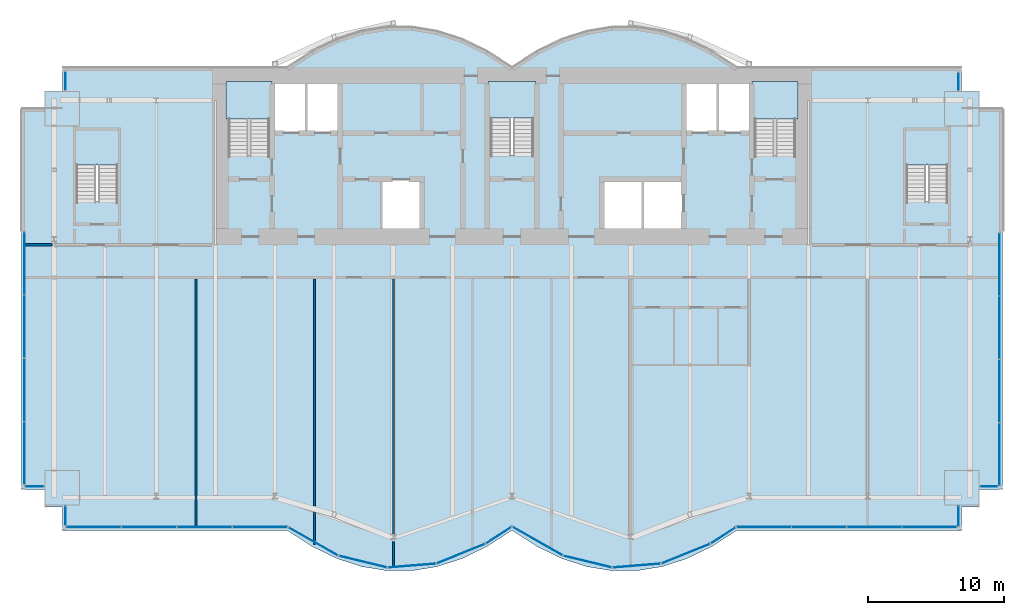
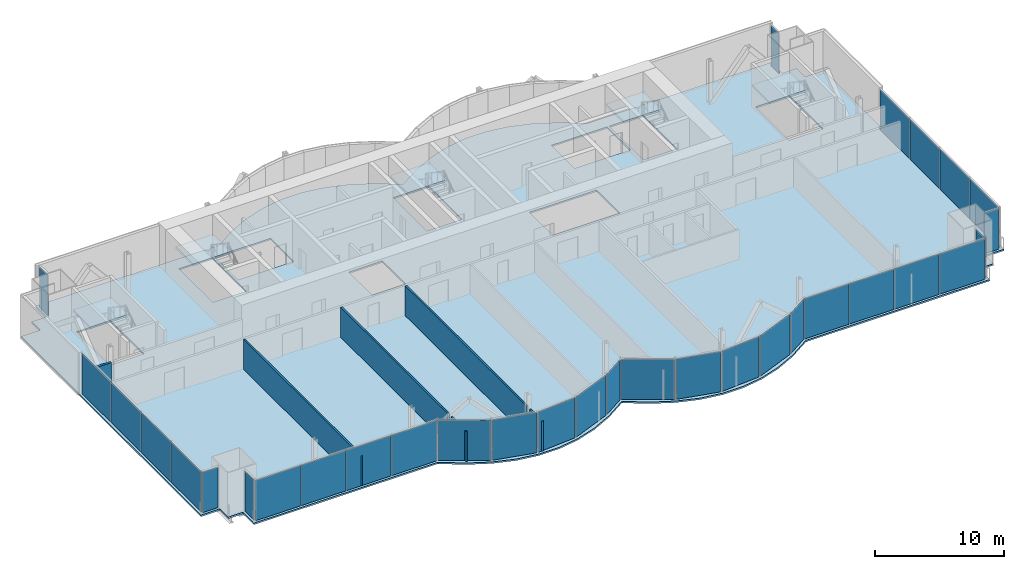
# One storey, part 13 of 20: 32 plates, 6 slabs, 6 walls, 17 elements without a shape of their own.
"""IFC4 building model written with IfcOpenShell, lengths in metres."""

from ifc_helpers import new_model, si_unit, direction, frame, frame_2d, origin, origin_2d, place, context, subcontext, project, spatial, polyline, rectangle, outline, extrude, material, layer, layer_set, type_object, element, aggregate, save


model = new_model("IFC4")

# Units and contexts
model_context = context("Model", 3, precision=1e-05, world=origin(), true_north=direction((0.0, 1.0)))
body_context = subcontext(model_context, "Body", "Model", "MODEL_VIEW")
ifc_project = project(units=[si_unit("LENGTHUNIT", "METRE"), si_unit("AREAUNIT", "SQUARE_METRE"), si_unit("VOLUMEUNIT", "CUBIC_METRE"), si_unit("PLANEANGLEUNIT", "RADIAN"), si_unit("MASSUNIT", "GRAM", prefix="KILO")], contexts=[model_context])

# Site, building, storey
site_placement = place(None, origin())
site = spatial("IfcSite", under=ifc_project, at=site_placement, CompositionType="ELEMENT")
building_placement = place(site_placement, origin())
building = spatial("IfcBuilding", under=site, at=building_placement, Name="Bicima Exchange Tower", CompositionType="ELEMENT")
storey_placement = place(building_placement, frame((0.0, 0.0, 177.300048828125)))
storey = spatial("IfcBuildingStorey", under=building, at=storey_placement, Name="L39", CompositionType="ELEMENT", Elevation=177.300048828125)

# Slab
ifc_material_1 = material(Name="Concrete C40/50", Category="concrete")
ifc_layer_1 = layer(ifc_material_1, 0.14990234375)
ifc_layer_set_1 = layer_set([ifc_layer_1], Name="Concrete C40/50")
slab_type_1 = type_object("IfcSlabType", Name="Composite floor slab 150", PredefinedType="FLOOR", material=ifc_layer_set_1)
slab_1_placement = place(storey_placement, frame((0.0, 0.0, -0.150146484375)))
element("IfcSlab", 1, at=slab_1_placement, inside=storey, type_object=slab_type_1, Name="Floor slab", PredefinedType="FLOOR", context=body_context, shape_type="SweptSolid", body=[
    extrude(outline(polyline([(-36.0, -30.947998046875), (-36.0, -3.0), (-34.300048828125, -3.0), (-34.300048828125, -1.699951171875), (-33.0, -1.699951171875), (-33.0, 0.0), (-16.5, 0.0), (-14.666748046875, 1.185302734375), (-12.833251953125, 2.07421875), (-11.0, 2.666748046875), (-9.166748046875, 2.962890625), (-7.333251953125, 2.962890625), (-5.5, 2.666748046875), (-3.666748046875, 2.07421875), (-1.833251953125, 1.185302734375), (0.0, 0.0), (1.833251953125, 1.185302734375), (3.666748046875, 2.07421875), (5.5, 2.666748046875), (7.333251953125, 2.962890625), (9.166748046875, 2.962890625), (11.0, 2.666748046875), (12.833251953125, 2.07421875), (14.666748046875, 1.185302734375), (16.5, 0.0), (33.0, 0.0), (33.0, -1.699951171875), (34.300048828125, -1.699951171875), (34.300048828125, -3.0), (36.0, -3.0), (36.0, -30.947998046875), (34.300048828125, -30.947998046875), (34.300048828125, -32.248046875), (33.0, -32.248046875), (33.0, -33.947998046875), (16.5, -33.947998046875), (14.666748046875, -35.13330078125), (12.833251953125, -36.022216796875), (11.0, -36.61474609375), (9.166748046875, -36.910888671875), (7.333251953125, -36.910888671875), (5.5, -36.61474609375), (3.666748046875, -36.022216796875), (1.833251953125, -35.13330078125), (0.0, -33.947998046875), (-1.833251953125, -35.13330078125), (-3.666748046875, -36.022216796875), (-5.5, -36.61474609375), (-7.333251953125, -36.910888671875), (-9.166748046875, -36.910888671875), (-11.0, -36.61474609375), (-12.833251953125, -36.022216796875), (-14.666748046875, -35.13330078125), (-16.5, -33.947998046875), (-33.0, -33.947998046875), (-33.0, -32.248046875), (-34.300048828125, -32.248046875), (-34.300048828125, -30.947998046875), (-36.0, -30.947998046875)]), holes=[polyline([(-6.60009765625, -11.800048828125), (-6.60009765625, -8.199951171875), (-9.60009765625, -8.199951171875), (-9.60009765625, -11.800048828125), (-6.60009765625, -11.800048828125)]), polyline([(-31.97509765625, -9.824951171875), (-28.925048828125, -9.824951171875), (-28.925048828125, -4.625), (-31.97509765625, -4.625), (-31.97509765625, -9.824951171875)]), polyline([(-20.800048828125, -6.449951171875), (-17.800048828125, -6.449951171875), (-17.800048828125, -1.199951171875), (-20.800048828125, -1.199951171875), (-20.800048828125, -6.449951171875)]), polyline([(1.574951171875, -6.39990234375), (1.574951171875, -1.199951171875), (-1.574951171875, -1.199951171875), (-1.574951171875, -6.39990234375), (1.574951171875, -6.39990234375)]), polyline([(-12.60009765625, -4.800048828125), (-12.60009765625, -1.199951171875), (-15.10009765625, -1.199951171875), (-17.60009765625, -1.199951171875), (-17.60009765625, -4.800048828125), (-15.10009765625, -4.800048828125), (-12.60009765625, -4.800048828125)]), polyline([(12.60009765625, -8.199951171875), (9.60009765625, -8.199951171875), (6.60009765625, -8.199951171875), (6.60009765625, -11.800048828125), (9.60009765625, -11.800048828125), (12.60009765625, -11.800048828125), (12.60009765625, -8.199951171875)]), polyline([(28.925048828125, -9.824951171875), (31.97509765625, -9.824951171875), (31.97509765625, -4.625), (28.925048828125, -4.625), (28.925048828125, -9.824951171875)]), polyline([(20.800048828125, -6.449951171875), (20.800048828125, -1.199951171875), (17.800048828125, -1.199951171875), (17.800048828125, -6.449951171875), (20.800048828125, -6.449951171875)]), polyline([(17.60009765625, -4.800048828125), (17.60009765625, -1.199951171875), (15.10009765625, -1.199951171875), (12.60009765625, -1.199951171875), (12.60009765625, -4.800048828125), (15.10009765625, -4.800048828125), (17.60009765625, -4.800048828125)])]), origin(), (0.0, 0.0, 1.0), 0.150146484375),
])

# Curtain wall, plates
ifc_material_2 = material(Name="Anodised bronze aluminium", Category="aluminium")
curtain_wall_type_1 = type_object("IfcCurtainWallType", Name="End face glass wall", PredefinedType="NOTDEFINED", material=ifc_material_2)
curtain_wall_1_placement = place(storey_placement, origin())
curtain_wall_1 = element("IfcCurtainWall", 2, at=curtain_wall_1_placement, inside=storey, type_object=curtain_wall_type_1, Name="End face glass wall L39 run 2", PredefinedType="NOTDEFINED")
ifc_material_3 = material(Name="Bronze tinted glass", Category="glass")
ifc_layer_2 = layer(ifc_material_3, 0.031982421875)
ifc_layer_set_2 = layer_set([ifc_layer_2], Name="Bronze tinted glass")
plate_type_1 = type_object("IfcPlateType", Name="End face glass wall glass panel 32", PredefinedType="CURTAIN_PANEL", material=ifc_layer_set_2)
plate_1_placement = place(storey_placement, frame((-35.77001953125, -14.352294921875, 0.0), z_axis=(0.0, 0.0, 1.0), x_axis=(0.0, -1.0, 0.0)))
plate_1 = element("IfcPlate", 3, at=plate_1_placement, type_object=plate_type_1, Name="End face glass wall panel 1.1", PredefinedType="CURTAIN_PANEL", context=body_context, shape_type="SweptSolid", body=[
    extrude(rectangle(XDim=4.58447265625, YDim=0.031982421875, at=origin_2d()), origin(), (0.0, 0.0, 1.0), 3.81005859375),
])
plate_2_placement = place(storey_placement, frame((-35.77001953125, -18.99658203125, 0.0), z_axis=(0.0, 0.0, 1.0), x_axis=(0.0, -1.0, 0.0)))
plate_2 = element("IfcPlate", 4, at=plate_2_placement, type_object=plate_type_1, Name="End face glass wall panel 2.1", PredefinedType="CURTAIN_PANEL", context=body_context, shape_type="SweptSolid", body=[
    extrude(rectangle(XDim=4.58447265625, YDim=0.031982421875, at=origin_2d()), origin(), (0.0, 0.0, 1.0), 3.81005859375),
])

curtain_wall_2_placement = place(storey_placement, origin())
curtain_wall_2 = element("IfcCurtainWall", 5, at=curtain_wall_2_placement, inside=storey, type_object=curtain_wall_type_1, Name="End face glass wall L39 run 19", PredefinedType="NOTDEFINED")
plate_3_placement = place(storey_placement, frame((35.77001953125, -19.076904296875, 0.0), z_axis=(0.0, 0.0, 1.0), x_axis=(0.0, 1.0, 0.0)))
plate_3 = element("IfcPlate", 6, at=plate_3_placement, type_object=plate_type_1, Name="End face glass wall panel 3.1", PredefinedType="CURTAIN_PANEL", context=body_context, shape_type="SweptSolid", body=[
    extrude(rectangle(XDim=4.58447265625, YDim=0.031982421875, at=origin_2d()), origin(), (0.0, 0.0, 1.0), 3.81005859375),
])
plate_4_placement = place(storey_placement, frame((35.77001953125, -14.432373046875, 0.0), z_axis=(0.0, 0.0, 1.0), x_axis=(0.0, 1.0, 0.0)))
plate_4 = element("IfcPlate", 7, at=plate_4_placement, type_object=plate_type_1, Name="End face glass wall panel 4.1", PredefinedType="CURTAIN_PANEL", context=body_context, shape_type="SweptSolid", body=[
    extrude(rectangle(XDim=4.58447265625, YDim=0.031982421875, at=origin_2d()), origin(), (0.0, 0.0, 1.0), 3.81005859375),
])

# Plate
ifc_material_4 = material(Name="Bronze anodised aluminium", Category="aluminium")
ifc_layer_3 = layer(ifc_material_4, 0.031982421875)
ifc_layer_set_3 = layer_set([ifc_layer_3], Name="Bronze anodised aluminium")
plate_type_2 = type_object("IfcPlateType", Name="End face glass wall spandrel panel 32", PredefinedType="CURTAIN_PANEL", material=ifc_layer_set_3)
plate_5_placement = place(storey_placement, frame((-35.77001953125, -23.64111328125, 0.0), z_axis=(0.0, 0.0, 1.0), x_axis=(0.0, -1.0, 0.0)))
plate_5 = element("IfcPlate", 8, at=plate_5_placement, type_object=plate_type_2, Name="End face spandrel wall panel 3.1", PredefinedType="CURTAIN_PANEL", context=body_context, shape_type="SweptSolid", body=[
    extrude(rectangle(XDim=4.58447265625, YDim=0.031982421875, at=origin_2d()), origin(), (0.0, 0.0, 1.0), 3.81005859375),
])

plate_6_placement = place(storey_placement, frame((-35.77001953125, -28.285888671875, 0.0), z_axis=(0.0, 0.0, 1.0), x_axis=(0.0, -1.0, 0.0)))
plate_6 = element("IfcPlate", 9, at=plate_6_placement, type_object=plate_type_2, Name="End face spandrel wall panel 4.1", PredefinedType="CURTAIN_PANEL", context=body_context, shape_type="SweptSolid", body=[
    extrude(rectangle(XDim=4.58447265625, YDim=0.031982421875, at=origin_2d()), origin(), (0.0, 0.0, 1.0), 3.81005859375),
])

aggregate(curtain_wall_1, [plate_1, plate_2, plate_5, plate_6])

plate_7_placement = place(storey_placement, frame((35.77001953125, -28.36572265625, 0.0), z_axis=(0.0, 0.0, 1.0), x_axis=(0.0, 1.0, 0.0)))
plate_7 = element("IfcPlate", 10, at=plate_7_placement, type_object=plate_type_2, Name="End face spandrel wall panel 1.1", PredefinedType="CURTAIN_PANEL", context=body_context, shape_type="SweptSolid", body=[
    extrude(rectangle(XDim=4.58447265625, YDim=0.031982421875, at=origin_2d()), origin(), (0.0, 0.0, 1.0), 3.81005859375),
])

plate_8_placement = place(storey_placement, frame((35.77001953125, -23.72119140625, 0.0), z_axis=(0.0, 0.0, 1.0), x_axis=(0.0, 1.0, 0.0)))
plate_8 = element("IfcPlate", 11, at=plate_8_placement, type_object=plate_type_2, Name="End face spandrel wall panel 2.1", PredefinedType="CURTAIN_PANEL", context=body_context, shape_type="SweptSolid", body=[
    extrude(rectangle(XDim=4.58447265625, YDim=0.031982421875, at=origin_2d()), origin(), (0.0, 0.0, 1.0), 3.81005859375),
])

aggregate(curtain_wall_2, [plate_7, plate_8, plate_3, plate_4])

# Curtain wall, plate
curtain_wall_type_2 = type_object("IfcCurtainWallType", Name="Front glass wall", PredefinedType="NOTDEFINED", material=ifc_material_2)
curtain_wall_3_placement = place(storey_placement, origin())
curtain_wall_3 = element("IfcCurtainWall", 12, at=curtain_wall_3_placement, inside=storey, type_object=curtain_wall_type_2, Name="Front glass wall L39 run 1", PredefinedType="NOTDEFINED")
ifc_layer_4 = layer(ifc_material_3, 0.031982421875)
ifc_layer_set_4 = layer_set([ifc_layer_4], Name="Bronze tinted glass")
plate_type_3 = type_object("IfcPlateType", Name="Front glass wall glass panel 32", PredefinedType="CURTAIN_PANEL", material=ifc_layer_set_4)
plate_9_placement = place(storey_placement, frame((-32.77001953125, -0.965087890625, 0.0), z_axis=(0.0, 0.0, 1.0), x_axis=(0.0, -1.0, 0.0)))
plate_9 = element("IfcPlate", 13, at=plate_9_placement, type_object=plate_type_3, Name="Front glass wall panel 1.1", PredefinedType="CURTAIN_PANEL", context=body_context, shape_type="SweptSolid", body=[
    extrude(rectangle(XDim=1.35009765625, YDim=0.031982421875, at=origin_2d()), origin(), (0.0, 0.0, 1.0), 3.81005859375),
])
aggregate(curtain_wall_3, [plate_9])

curtain_wall_4_placement = place(storey_placement, origin())
curtain_wall_4 = element("IfcCurtainWall", 14, at=curtain_wall_4_placement, inside=storey, type_object=curtain_wall_type_2, Name="Front glass wall L39 run 3", PredefinedType="NOTDEFINED")
plate_10_placement = place(storey_placement, frame((-35.034912109375, -30.718017578125, 0.0), z_axis=(0.0, 0.0, 1.0), x_axis=(1.0, 0.0, 0.0)))
plate_10 = element("IfcPlate", 15, at=plate_10_placement, type_object=plate_type_3, Name="Front glass wall panel 1.1", PredefinedType="CURTAIN_PANEL", context=body_context, shape_type="SweptSolid", body=[
    extrude(rectangle(XDim=1.35009765625, YDim=0.031982421875, at=origin_2d()), origin(), (0.0, 0.0, 1.0), 3.81005859375),
])
aggregate(curtain_wall_4, [plate_10])

curtain_wall_5_placement = place(storey_placement, origin())
curtain_wall_5 = element("IfcCurtainWall", 16, at=curtain_wall_5_placement, inside=storey, type_object=curtain_wall_type_2, Name="Front glass wall L39 run 4", PredefinedType="NOTDEFINED")
plate_11_placement = place(storey_placement, frame((-32.77001953125, -32.882080078125, 0.0), z_axis=(0.0, 0.0, 1.0), x_axis=(0.0, -1.0, 0.0)))
plate_11 = element("IfcPlate", 17, at=plate_11_placement, type_object=plate_type_3, Name="Front glass wall panel 1.1", PredefinedType="CURTAIN_PANEL", context=body_context, shape_type="SweptSolid", body=[
    extrude(rectangle(XDim=1.39208984375, YDim=0.031982421875, at=origin_2d()), origin(), (0.0, 0.0, 1.0), 3.81005859375),
])
aggregate(curtain_wall_5, [plate_11])

# Curtain wall, plates
curtain_wall_6_placement = place(storey_placement, origin())
curtain_wall_6 = element("IfcCurtainWall", 18, at=curtain_wall_6_placement, inside=storey, type_object=curtain_wall_type_2, Name="Front glass wall L39 run 5", PredefinedType="NOTDEFINED")
plate_12_placement = place(storey_placement, frame((-30.705322265625, -33.718017578125, 0.0), z_axis=(0.0, 0.0, 1.0), x_axis=(1.0, 0.0, 0.0)))
plate_12 = element("IfcPlate", 19, at=plate_12_placement, type_object=plate_type_3, Name="Front glass wall panel 1.1", PredefinedType="CURTAIN_PANEL", context=body_context, shape_type="SweptSolid", body=[
    extrude(rectangle(XDim=4.009521484375, YDim=0.031982421875, at=origin_2d()), origin(), (0.0, 0.0, 1.0), 3.81005859375),
])
plate_13_placement = place(storey_placement, frame((-22.56640625, -33.718017578125, 0.0), z_axis=(0.0, 0.0, 1.0), x_axis=(1.0, 0.0, 0.0)))
plate_13 = element("IfcPlate", 20, at=plate_13_placement, type_object=plate_type_3, Name="Front glass wall panel 3.1", PredefinedType="CURTAIN_PANEL", context=body_context, shape_type="SweptSolid", body=[
    extrude(rectangle(XDim=4.009521484375, YDim=0.031982421875, at=origin_2d()), origin(), (0.0, 0.0, 1.0), 3.81005859375),
])
plate_14_placement = place(storey_placement, frame((-18.496826171875, -33.718017578125, 0.0), z_axis=(0.0, 0.0, 1.0), x_axis=(1.0, 0.0, 0.0)))
plate_14 = element("IfcPlate", 21, at=plate_14_placement, type_object=plate_type_3, Name="Front glass wall panel 4.1", PredefinedType="CURTAIN_PANEL", context=body_context, shape_type="SweptSolid", body=[
    extrude(rectangle(XDim=4.009521484375, YDim=0.031982421875, at=origin_2d()), origin(), (0.0, 0.0, 1.0), 3.81005859375),
])

curtain_wall_7_placement = place(storey_placement, origin())
curtain_wall_7 = element("IfcCurtainWall", 22, at=curtain_wall_7_placement, inside=storey, type_object=curtain_wall_type_2, Name="Front glass wall L39 run 6", PredefinedType="NOTDEFINED")
plate_15_placement = place(storey_placement, frame((-14.589599609375, -34.76318359375, 0.0), z_axis=(0.0, 0.0, 1.0), x_axis=(0.869805110681, -0.493395449343, 0.0)))
plate_15 = element("IfcPlate", 23, at=plate_15_placement, type_object=plate_type_3, Name="Front glass wall panel 1.1", PredefinedType="CURTAIN_PANEL", context=body_context, shape_type="SweptSolid", body=[
    extrude(rectangle(XDim=4.1162109375, YDim=0.031982421875, at=origin_2d()), origin(), (0.0, 0.0, 1.0), 3.81005859375),
])
plate_16_placement = place(storey_placement, frame((-10.94775390625, -36.24462890625, 0.0), z_axis=(0.0, 0.0, 1.0), x_axis=(0.971830343553, -0.235681529503, 0.0)))
plate_16 = element("IfcPlate", 24, at=plate_16_placement, type_object=plate_type_3, Name="Front glass wall panel 1.1", PredefinedType="CURTAIN_PANEL", context=body_context, shape_type="SweptSolid", body=[
    extrude(rectangle(XDim=3.583251953125, YDim=0.031982421875, at=origin_2d()), origin(), (0.0, 0.0, 1.0), 3.81005859375),
])
plate_17_placement = place(storey_placement, frame((-3.750244140625, -35.661376953125, 0.0), z_axis=(0.0, 0.0, 1.0), x_axis=(0.92714396679, 0.374705304, 0.0)))
plate_17 = element("IfcPlate", 25, at=plate_17_placement, type_object=plate_type_3, Name="Front glass wall panel 1.1", PredefinedType="CURTAIN_PANEL", context=body_context, shape_type="SweptSolid", body=[
    extrude(rectangle(XDim=3.771240234375, YDim=0.031982421875, at=origin_2d()), origin(), (0.0, 0.0, 1.0), 3.81005859375),
])
plate_18_placement = place(storey_placement, frame((-0.97314453125, -34.30322265625, 0.0), z_axis=(0.0, 0.0, 1.0), x_axis=(0.839798994301, 0.542897457326, 0.0)))
plate_18 = element("IfcPlate", 26, at=plate_18_placement, type_object=plate_type_3, Name="Front glass wall panel 1.1", PredefinedType="CURTAIN_PANEL", context=body_context, shape_type="SweptSolid", body=[
    extrude(rectangle(XDim=2.197509765625, YDim=0.031982421875, at=origin_2d()), origin(), (0.0, 0.0, 1.0), 3.81005859375),
])

curtain_wall_8_placement = place(storey_placement, origin())
curtain_wall_8 = element("IfcCurtainWall", 27, at=curtain_wall_8_placement, inside=storey, type_object=curtain_wall_type_2, Name="Front glass wall L39 run 11", PredefinedType="NOTDEFINED")
plate_19_placement = place(storey_placement, frame((1.876220703125, -34.7412109375, 0.0), z_axis=(0.0, 0.0, 1.0), x_axis=(0.869274147378, -0.494330311331, 0.0)))
plate_19 = element("IfcPlate", 28, at=plate_19_placement, type_object=plate_type_3, Name="Front glass wall panel 1.1", PredefinedType="CURTAIN_PANEL", context=body_context, shape_type="SweptSolid", body=[
    extrude(rectangle(XDim=4.197021484375, YDim=0.031982421875, at=origin_2d()), origin(), (0.0, 0.0, 1.0), 3.81005859375),
])
plate_20_placement = place(storey_placement, frame((12.749755859375, -35.661376953125, 0.0), z_axis=(0.0, 0.0, 1.0), x_axis=(0.92714396679, 0.374705304, 0.0)))
plate_20 = element("IfcPlate", 29, at=plate_20_placement, type_object=plate_type_3, Name="Front glass wall panel 1.1", PredefinedType="CURTAIN_PANEL", context=body_context, shape_type="SweptSolid", body=[
    extrude(rectangle(XDim=3.771240234375, YDim=0.031982421875, at=origin_2d()), origin(), (0.0, 0.0, 1.0), 3.81005859375),
])
plate_21_placement = place(storey_placement, frame((15.492919921875, -34.3251953125, 0.0), z_axis=(0.0, 0.0, 1.0), x_axis=(0.839791413941, 0.542909183079, 0.0)))
plate_21 = element("IfcPlate", 30, at=plate_21_placement, type_object=plate_type_3, Name="Front glass wall panel 1.1", PredefinedType="CURTAIN_PANEL", context=body_context, shape_type="SweptSolid", body=[
    extrude(rectangle(XDim=2.11669921875, YDim=0.031982421875, at=origin_2d()), origin(), (0.0, 0.0, 1.0), 3.81005859375),
])

curtain_wall_9_placement = place(storey_placement, origin())
curtain_wall_9 = element("IfcCurtainWall", 31, at=curtain_wall_9_placement, inside=storey, type_object=curtain_wall_type_2, Name="Front glass wall L39 run 16", PredefinedType="NOTDEFINED")
plate_22_placement = place(storey_placement, frame((18.48681640625, -33.718017578125, 0.0), z_axis=(0.0, 0.0, 1.0), x_axis=(1.0, 0.0, 0.0)))
plate_22 = element("IfcPlate", 32, at=plate_22_placement, type_object=plate_type_3, Name="Front glass wall panel 1.1", PredefinedType="CURTAIN_PANEL", context=body_context, shape_type="SweptSolid", body=[
    extrude(rectangle(XDim=3.989501953125, YDim=0.031982421875, at=origin_2d()), origin(), (0.0, 0.0, 1.0), 3.81005859375),
])
plate_23_placement = place(storey_placement, frame((22.536376953125, -33.718017578125, 0.0), z_axis=(0.0, 0.0, 1.0), x_axis=(1.0, 0.0, 0.0)))
plate_23 = element("IfcPlate", 33, at=plate_23_placement, type_object=plate_type_3, Name="Front glass wall panel 2.1", PredefinedType="CURTAIN_PANEL", context=body_context, shape_type="SweptSolid", body=[
    extrude(rectangle(XDim=3.989501953125, YDim=0.031982421875, at=origin_2d()), origin(), (0.0, 0.0, 1.0), 3.81005859375),
])
plate_24_placement = place(storey_placement, frame((30.63525390625, -33.718017578125, 0.0), z_axis=(0.0, 0.0, 1.0), x_axis=(1.0, 0.0, 0.0)))
plate_24 = element("IfcPlate", 34, at=plate_24_placement, type_object=plate_type_3, Name="Front glass wall panel 4.1", PredefinedType="CURTAIN_PANEL", context=body_context, shape_type="SweptSolid", body=[
    extrude(rectangle(XDim=3.989501953125, YDim=0.031982421875, at=origin_2d()), origin(), (0.0, 0.0, 1.0), 3.81005859375),
])

# Curtain wall, plate
curtain_wall_10_placement = place(storey_placement, origin())
curtain_wall_10 = element("IfcCurtainWall", 35, at=curtain_wall_10_placement, inside=storey, type_object=curtain_wall_type_2, Name="Front glass wall L39 run 17", PredefinedType="NOTDEFINED")
plate_25_placement = place(storey_placement, frame((32.77001953125, -32.922119140625, 0.0), z_axis=(0.0, 0.0, 1.0), x_axis=(0.0, 1.0, 0.0)))
plate_25 = element("IfcPlate", 36, at=plate_25_placement, type_object=plate_type_3, Name="Front glass wall panel 1.1", PredefinedType="CURTAIN_PANEL", context=body_context, shape_type="SweptSolid", body=[
    extrude(rectangle(XDim=1.471923828125, YDim=0.031982421875, at=origin_2d()), origin(), (0.0, 0.0, 1.0), 3.81005859375),
])
aggregate(curtain_wall_10, [plate_25])

curtain_wall_11_placement = place(storey_placement, origin())
curtain_wall_11 = element("IfcCurtainWall", 37, at=curtain_wall_11_placement, inside=storey, type_object=curtain_wall_type_2, Name="Front glass wall L39 run 18", PredefinedType="NOTDEFINED")
plate_26_placement = place(storey_placement, frame((34.9951171875, -30.718017578125, 0.0), z_axis=(0.0, 0.0, 1.0), x_axis=(1.0, 0.0, 0.0)))
plate_26 = element("IfcPlate", 38, at=plate_26_placement, type_object=plate_type_3, Name="Front glass wall panel 1.1", PredefinedType="CURTAIN_PANEL", context=body_context, shape_type="SweptSolid", body=[
    extrude(rectangle(XDim=1.27001953125, YDim=0.031982421875, at=origin_2d()), origin(), (0.0, 0.0, 1.0), 3.81005859375),
])
aggregate(curtain_wall_11, [plate_26])

curtain_wall_12_placement = place(storey_placement, origin())
curtain_wall_12 = element("IfcCurtainWall", 39, at=curtain_wall_12_placement, inside=storey, type_object=curtain_wall_type_2, Name="Front glass wall L39 run 20", PredefinedType="NOTDEFINED")
plate_27_placement = place(storey_placement, frame((32.77001953125, -1.0048828125, 0.0), z_axis=(0.0, 0.0, 1.0), x_axis=(0.0, 1.0, 0.0)))
plate_27 = element("IfcPlate", 40, at=plate_27_placement, type_object=plate_type_3, Name="Front glass wall panel 1.1", PredefinedType="CURTAIN_PANEL", context=body_context, shape_type="SweptSolid", body=[
    extrude(rectangle(XDim=1.27001953125, YDim=0.031982421875, at=origin_2d()), origin(), (0.0, 0.0, 1.0), 3.81005859375),
])
aggregate(curtain_wall_12, [plate_27])

# Plate
ifc_layer_5 = layer(ifc_material_4, 0.031982421875)
ifc_layer_set_5 = layer_set([ifc_layer_5], Name="Bronze anodised aluminium")
plate_type_4 = type_object("IfcPlateType", Name="Front glass wall spandrel panel 32", PredefinedType="CURTAIN_PANEL", material=ifc_layer_set_5)
plate_28_placement = place(storey_placement, frame((-26.6357421875, -33.718017578125, 0.0), z_axis=(0.0, 0.0, 1.0), x_axis=(1.0, 0.0, 0.0)))
plate_28 = element("IfcPlate", 41, at=plate_28_placement, type_object=plate_type_4, Name="Front spandrel wall panel 2.1", PredefinedType="CURTAIN_PANEL", context=body_context, shape_type="SweptSolid", body=[
    extrude(rectangle(XDim=4.009521484375, YDim=0.031982421875, at=origin_2d()), origin(), (0.0, 0.0, 1.0), 3.81005859375),
])

aggregate(curtain_wall_6, [plate_12, plate_28, plate_13, plate_14])

plate_29_placement = place(storey_placement, frame((-7.35107421875, -36.53564453125, 0.0), z_axis=(0.0, 0.0, 1.0), x_axis=(0.99674744821, 0.080588612633, 0.0)))
plate_29 = element("IfcPlate", 42, at=plate_29_placement, type_object=plate_type_4, Name="Front spandrel wall panel 1.1", PredefinedType="CURTAIN_PANEL", context=body_context, shape_type="SweptSolid", body=[
    extrude(rectangle(XDim=3.486083984375, YDim=0.031982421875, at=origin_2d()), origin(), (0.0, 0.0, 1.0), 3.81005859375),
])

aggregate(curtain_wall_7, [plate_15, plate_16, plate_29, plate_17, plate_18])

plate_30_placement = place(storey_placement, frame((5.55224609375, -36.24462890625, 0.0), z_axis=(0.0, 0.0, 1.0), x_axis=(0.971830343553, -0.235681529503, 0.0)))
plate_30 = element("IfcPlate", 43, at=plate_30_placement, type_object=plate_type_4, Name="Front spandrel wall panel 1.1", PredefinedType="CURTAIN_PANEL", context=body_context, shape_type="SweptSolid", body=[
    extrude(rectangle(XDim=3.583251953125, YDim=0.031982421875, at=origin_2d()), origin(), (0.0, 0.0, 1.0), 3.81005859375),
])

plate_31_placement = place(storey_placement, frame((9.14892578125, -36.53564453125, 0.0), z_axis=(0.0, 0.0, 1.0), x_axis=(0.99674744821, 0.080588612633, 0.0)))
plate_31 = element("IfcPlate", 44, at=plate_31_placement, type_object=plate_type_4, Name="Front spandrel wall panel 1.1", PredefinedType="CURTAIN_PANEL", context=body_context, shape_type="SweptSolid", body=[
    extrude(rectangle(XDim=3.486083984375, YDim=0.031982421875, at=origin_2d()), origin(), (0.0, 0.0, 1.0), 3.81005859375),
])

aggregate(curtain_wall_8, [plate_19, plate_30, plate_31, plate_20, plate_21])

plate_32_placement = place(storey_placement, frame((26.585693359375, -33.718017578125, 0.0), z_axis=(0.0, 0.0, 1.0), x_axis=(1.0, 0.0, 0.0)))
plate_32 = element("IfcPlate", 45, at=plate_32_placement, type_object=plate_type_4, Name="Front spandrel wall panel 3.1", PredefinedType="CURTAIN_PANEL", context=body_context, shape_type="SweptSolid", body=[
    extrude(rectangle(XDim=3.989501953125, YDim=0.031982421875, at=origin_2d()), origin(), (0.0, 0.0, 1.0), 3.81005859375),
])

aggregate(curtain_wall_9, [plate_22, plate_23, plate_32, plate_24])

# Stair, slab
ifc_material_5 = material(Name="Concrete C50/60", Category="concrete")
stair_type_1 = type_object("IfcStairType", Name="Exit stair", PredefinedType="HALF_TURN_STAIR", material=ifc_material_5)
stair_1_placement = place(storey_placement, origin())
stair_1 = element("IfcStair", 46, at=stair_1_placement, inside=storey, type_object=stair_type_1, Name="L39 West exit stair", PredefinedType="HALF_TURN_STAIR")
ifc_layer_6 = layer(ifc_material_5, 0.199951171875)
ifc_layer_set_6 = layer_set([ifc_layer_6], Name="Concrete C50/60")
slab_type_2 = type_object("IfcSlabType", Name="Stair landing slab", PredefinedType="LANDING", material=ifc_layer_set_6)
slab_2_placement = place(storey_placement, frame((0.0, 0.0, 1.849853515625)))
slab_2 = element("IfcSlab", 47, at=slab_2_placement, type_object=slab_type_2, Name="ST-W landing 1", PredefinedType="LANDING", context=body_context, shape_type="SweptSolid", body=[
    extrude(outline(polyline([(-17.60009765625, -3.75), (-17.60009765625, -1.0), (-21.0, -1.0), (-21.0, -3.75), (-17.60009765625, -3.75)])), origin(), (0.0, 0.0, 1.0), 0.2001953125),
])
aggregate(stair_1, [slab_2])

stair_type_2 = type_object("IfcStairType", Name="Exit stair 1500", PredefinedType="HALF_TURN_STAIR", material=ifc_material_5)
stair_2_placement = place(storey_placement, origin())
stair_2 = element("IfcStair", 48, at=stair_2_placement, inside=storey, type_object=stair_type_2, Name="L39 Central exit stair", PredefinedType="HALF_TURN_STAIR")
slab_3_placement = place(storey_placement, frame((0.0, 0.0, 1.849853515625)))
slab_3 = element("IfcSlab", 49, at=slab_3_placement, type_object=slab_type_2, Name="ST-C landing 1", PredefinedType="LANDING", context=body_context, shape_type="SweptSolid", body=[
    extrude(outline(polyline([(1.77490234375, -3.699951171875), (1.77490234375, -1.0), (-1.77490234375, -1.0), (-1.77490234375, -3.699951171875), (1.77490234375, -3.699951171875)])), origin(), (0.0, 0.0, 1.0), 0.2001953125),
])
aggregate(stair_2, [slab_3])

stair_3_placement = place(storey_placement, origin())
stair_3 = element("IfcStair", 50, at=stair_3_placement, inside=storey, type_object=stair_type_1, Name="L39 East exit stair", PredefinedType="HALF_TURN_STAIR")
slab_4_placement = place(storey_placement, frame((0.0, 0.0, 1.849853515625)))
slab_4 = element("IfcSlab", 51, at=slab_4_placement, type_object=slab_type_2, Name="ST-E landing 1", PredefinedType="LANDING", context=body_context, shape_type="SweptSolid", body=[
    extrude(outline(polyline([(21.0, -3.75), (21.0, -1.0), (17.60009765625, -1.0), (17.60009765625, -3.75), (21.0, -3.75)])), origin(), (0.0, 0.0, 1.0), 0.2001953125),
])
aggregate(stair_3, [slab_4])

stair_4_placement = place(storey_placement, origin())
stair_4 = element("IfcStair", 52, at=stair_4_placement, inside=storey, type_object=stair_type_1, Name="L39 West end exit stair", PredefinedType="HALF_TURN_STAIR")
slab_5_placement = place(storey_placement, frame((0.0, 0.0, 1.849853515625)))
slab_5 = element("IfcSlab", 53, at=slab_5_placement, type_object=slab_type_2, Name="ST-WW landing 1", PredefinedType="LANDING", context=body_context, shape_type="SweptSolid", body=[
    extrude(outline(polyline([(-28.72509765625, -7.125), (-28.72509765625, -4.425048828125), (-32.175048828125, -4.425048828125), (-32.175048828125, -7.125), (-28.72509765625, -7.125)])), origin(), (0.0, 0.0, 1.0), 0.2001953125),
])
aggregate(stair_4, [slab_5])

stair_5_placement = place(storey_placement, origin())
stair_5 = element("IfcStair", 54, at=stair_5_placement, inside=storey, type_object=stair_type_1, Name="L39 East end exit stair", PredefinedType="HALF_TURN_STAIR")
slab_6_placement = place(storey_placement, frame((0.0, 0.0, 1.849853515625)))
slab_6 = element("IfcSlab", 55, at=slab_6_placement, type_object=slab_type_2, Name="ST-EE landing 1", PredefinedType="LANDING", context=body_context, shape_type="SweptSolid", body=[
    extrude(outline(polyline([(32.175048828125, -7.125), (32.175048828125, -4.425048828125), (28.72509765625, -4.425048828125), (28.72509765625, -7.125), (32.175048828125, -7.125)])), origin(), (0.0, 0.0, 1.0), 0.2001953125),
])
aggregate(stair_5, [slab_6])

# Walls
ifc_material_6 = material(Name="Gypsum board partition")
ifc_layer_7 = layer(ifc_material_6, 0.199951171875)
ifc_layer_set_7 = layer_set([ifc_layer_7], Name="Gypsum board partition")
wall_type_1 = type_object("IfcWallType", Name="Fire-rated gypsum partition 200 EI60", PredefinedType="PARTITIONING", material=ifc_layer_set_7)
wall_1_placement = place(storey_placement, frame((-35.679931640625, -13.0, 0.0), z_axis=(0.0, 0.0, 1.0), x_axis=(1.0, 0.0, 0.0)))
element("IfcWall", 56, at=wall_1_placement, inside=storey, type_object=wall_type_1, Name="partition wall 4", PredefinedType="PARTITIONING", context=body_context, shape_type="SweptSolid", body=[
    extrude(rectangle(XDim=1.9599609375, YDim=0.199951171875, at=frame_2d((0.97998046875, 0.0))), origin(), (0.0, 0.0, 1.0), 2.84033203125),
])
ifc_layer_8 = layer(ifc_material_6, 0.14990234375)
ifc_layer_set_8 = layer_set([ifc_layer_8], Name="Gypsum board partition")
wall_type_2 = type_object("IfcWallType", Name="Gypsum partition 150", PredefinedType="PARTITIONING", material=ifc_layer_set_8)
wall_2_placement = place(storey_placement, frame((-23.199951171875, -33.739990234375, 0.0), z_axis=(0.0, 0.0, 1.0), x_axis=(0.0, 1.0, 0.0)))
element("IfcWall", 57, at=wall_2_placement, inside=storey, type_object=wall_type_2, Name="partition wall 14", PredefinedType="PARTITIONING", context=body_context, shape_type="SweptSolid", body=[
    extrude(rectangle(XDim=18.239990234375, YDim=0.14990234375, at=frame_2d((9.1201171875, 0.0))), origin(), (0.0, 0.0, 1.0), 2.84033203125),
])
wall_3_placement = place(storey_placement, frame((-14.5, -34.97998046875, 0.0), z_axis=(0.0, 0.0, 1.0), x_axis=(0.0, 1.0, 0.0)))
element("IfcWall", 58, at=wall_3_placement, inside=storey, type_object=wall_type_2, Name="partition wall 15", PredefinedType="PARTITIONING", context=body_context, shape_type="SweptSolid", body=[
    extrude(rectangle(XDim=2.3603515625, YDim=0.14990234375, at=frame_2d((1.18017578125, 0.0))), origin(), (0.0, 0.0, 1.0), 2.84033203125),
])
wall_4_placement = place(storey_placement, frame((-14.5, -32.14501953125, 0.0), z_axis=(0.0, 0.0, 1.0), x_axis=(0.0, 1.0, 0.0)))
element("IfcWall", 59, at=wall_4_placement, inside=storey, type_object=wall_type_2, Name="partition wall 16", PredefinedType="PARTITIONING", context=body_context, shape_type="SweptSolid", body=[
    extrude(rectangle(XDim=16.64501953125, YDim=0.14990234375, at=frame_2d((8.322509765625, 0.0))), origin(), (0.0, 0.0, 1.0), 2.84033203125),
])
wall_5_placement = place(storey_placement, frame((-8.699951171875, -36.699951171875, 0.0), z_axis=(0.0, 0.0, 1.0), x_axis=(0.0, 1.0, 0.0)))
element("IfcWall", 60, at=wall_5_placement, inside=storey, type_object=wall_type_2, Name="partition wall 17", PredefinedType="PARTITIONING", context=body_context, shape_type="SweptSolid", body=[
    extrude(rectangle(XDim=1.9169921875, YDim=0.14990234375, at=frame_2d((0.95849609375, 0.0))), origin(), (0.0, 0.0, 1.0), 2.84033203125),
])
wall_6_placement = place(storey_placement, frame((-8.699951171875, -34.295166015625, 0.0), z_axis=(0.0, 0.0, 1.0), x_axis=(0.0, 1.0, 0.0)))
element("IfcWall", 61, at=wall_6_placement, inside=storey, type_object=wall_type_2, Name="partition wall 18", PredefinedType="PARTITIONING", context=body_context, shape_type="SweptSolid", body=[
    extrude(rectangle(XDim=18.795166015625, YDim=0.14990234375, at=frame_2d((9.3974609375, 0.0))), origin(), (0.0, 0.0, 1.0), 2.84033203125),
])

save(model, "model.ifc")
